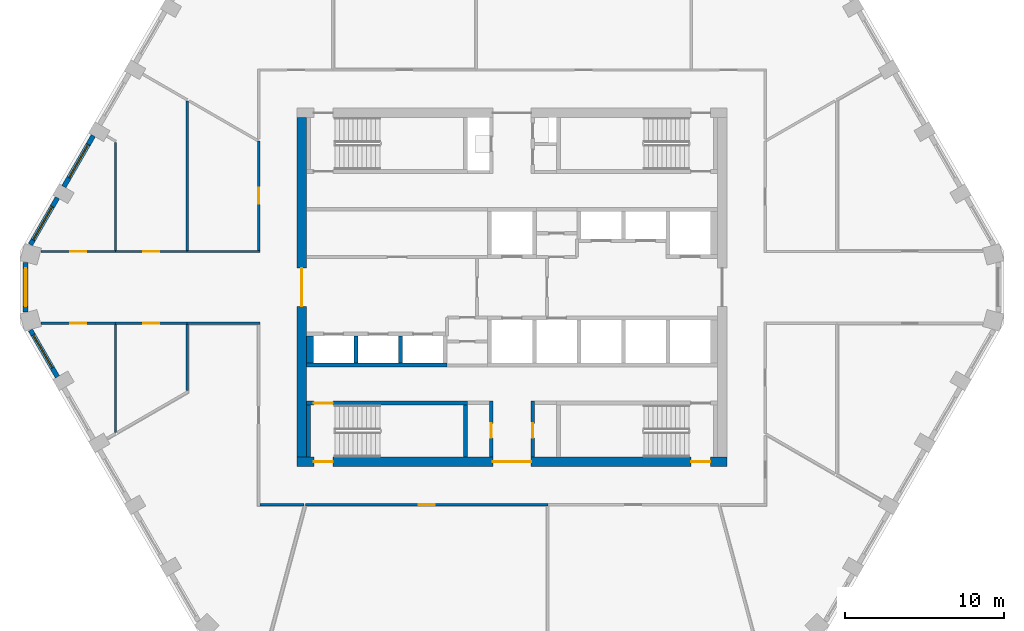
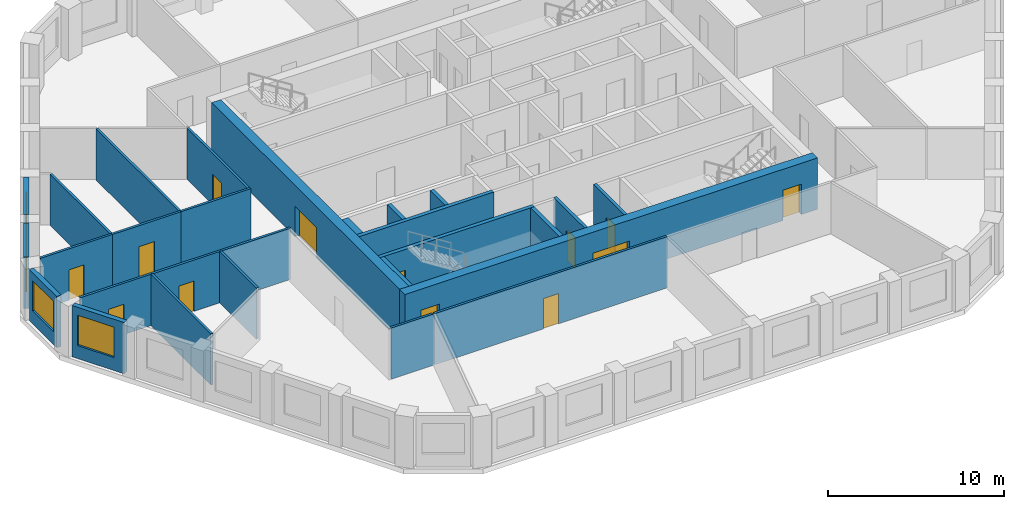
# One storey, part 2 of 11: 28 walls, 13 doors, 4 windows, 17 openings.
"""IFC4 building model written with IfcOpenShell, lengths in metres."""

import ifcopenshell
import ifcopenshell.guid

model = None  # the IFC model being written
_history = None  # IfcOwnerHistory: only IFC2X3 demands one
_inside = {}  # id of a spatial element -> (the spatial element, [elements in it])
_under = {}  # id of a project, library or spatial element -> (it, [spatial elements below it])
_declared = {}  # id of a project -> (the project, [libraries it declares])
_typed = {}  # id of a type object -> (the type object, [elements of that type])
_made_of = {}  # id of a material, layer set ... -> (it, [elements and type objects made of it])


def new_model(schema):
    """Start an empty IFC model of exactly this schema.

    Asked for "IFC4X3", IfcOpenShell would pick the latest addendum, in which some entities
    have other attributes; the version numbers below select the first issue.
    IFC2X3 requires an IfcOwnerHistory on every rooted entity: one is made here for all.
    """
    global model, _history
    if schema == "IFC4X3":
        model = ifcopenshell.file(schema_version=(4, 3, 0, 0))
    else:
        model = ifcopenshell.file(schema=schema)
    _inside.clear()
    _under.clear()
    _declared.clear()
    _typed.clear()
    _made_of.clear()
    _history = None
    if model.schema == "IFC2X3":
        org = make("IfcOrganization", Name="unknown")
        user = make(
            "IfcPersonAndOrganization",
            ThePerson=make("IfcPerson", FamilyName="unknown"),
            TheOrganization=org,
        )
        app = make(
            "IfcApplication",
            ApplicationDeveloper=org,
            Version="unknown",
            ApplicationFullName="unknown",
            ApplicationIdentifier="unknown",
        )
        _history = make(
            "IfcOwnerHistory",
            OwningUser=user,
            OwningApplication=app,
            ChangeAction="ADDED",
            CreationDate=0,
        )
    return model


def make(cls, **values):
    """One entity of the class cls with the attributes given. An attribute that is None is left unset."""
    return model.create_entity(
        cls, **{name: value for name, value in values.items() if value is not None}
    )


def rooted(cls, **values):
    """An entity with a GlobalId (a new one), such as an element, a storey or a relation."""
    return make(cls, GlobalId=ifcopenshell.guid.new(), OwnerHistory=_history, **values)


def si_unit(unit_type, name, prefix=None):
    """IfcSIUnit, for example si_unit("LENGTHUNIT", "METRE", prefix="MILLI")."""
    return make("IfcSIUnit", UnitType=unit_type, Prefix=prefix, Name=name)


def assignment(units):
    """IfcUnitAssignment: the units of a project."""
    return None if units is None else make("IfcUnitAssignment", Units=units)


def point(xyz):
    """IfcCartesianPoint."""
    return None if xyz is None else make("IfcCartesianPoint", Coordinates=xyz)


def direction(xyz):
    """IfcDirection."""
    return None if xyz is None else make("IfcDirection", DirectionRatios=xyz)


def frame(location, z_axis=None, x_axis=None):
    """IfcAxis2Placement3D, a coordinate frame: its origin and axes. An axis left out is left unset."""
    return make(
        "IfcAxis2Placement3D",
        Location=point(location),
        Axis=direction(z_axis),
        RefDirection=direction(x_axis),
    )


def frame_2d(location, x_axis=None):
    """IfcAxis2Placement2D, a coordinate frame in the plane: its origin and x axis."""
    return make(
        "IfcAxis2Placement2D", Location=point(location), RefDirection=direction(x_axis)
    )


def origin():
    """The frame at (0, 0, 0) with its axes left unset."""
    return frame((0.0, 0.0, 0.0))


def place(relative_to, where):
    """IfcLocalPlacement: puts the frame where relative to a parent placement (None: the world)."""
    return make(
        "IfcLocalPlacement", PlacementRelTo=relative_to, RelativePlacement=where
    )


def context(
    kind, dimensions, precision=None, world=None, true_north=None, identifier=None
):
    """IfcGeometricRepresentationContext, for example the 3D "Model" context."""
    return make(
        "IfcGeometricRepresentationContext",
        ContextIdentifier=identifier,
        ContextType=kind,
        CoordinateSpaceDimension=dimensions,
        Precision=precision,
        WorldCoordinateSystem=world,
        TrueNorth=true_north,
    )


def subcontext(parent, identifier, kind, view, scale=None):
    """IfcGeometricRepresentationSubContext, for example "Body" below "Model"."""
    return make(
        "IfcGeometricRepresentationSubContext",
        ContextIdentifier=identifier,
        ContextType=kind,
        ParentContext=parent,
        TargetScale=scale,
        TargetView=view,
    )


def project(units=None, contexts=None):
    """IfcProject with its units and contexts."""
    return rooted(
        "IfcProject",
        Name="project",
        RepresentationContexts=contexts,
        UnitsInContext=assignment(units),
    )


def spatial(cls, under=None, at=None, **own):
    """A site, building, storey or space (cls), placed at a placement, below another one or the project."""
    s = rooted(cls, ObjectPlacement=at, **own)
    if under is not None:
        _under.setdefault(under.id(), (under, []))[1].append(s)
    return s


def polyline(points):
    """IfcPolyline through the points."""
    return make("IfcPolyline", Points=[point(p) for p in points])


def profile(cls, at=None, kind="AREA", **sizes):
    """A parametric profile (cls). Its sizes go by their IFC names, for example OverallWidth=200.0."""
    return make(cls, ProfileType=kind, Position=at, **sizes)


def rectangle(**sizes):
    """IfcRectangleProfileDef."""
    return profile("IfcRectangleProfileDef", **sizes)


def outline(outer, holes=None, kind="AREA"):
    """IfcArbitraryClosedProfileDef: a profile drawn as a closed curve; with holes, ...WithVoids."""
    if holes is None:
        return make("IfcArbitraryClosedProfileDef", ProfileType=kind, OuterCurve=outer)
    return make(
        "IfcArbitraryProfileDefWithVoids",
        ProfileType=kind,
        OuterCurve=outer,
        InnerCurves=holes,
    )


def extrude(swept, where, along, depth):
    """IfcExtrudedAreaSolid: the profile swept, set in the frame where, extruded along a direction by depth."""
    return make(
        "IfcExtrudedAreaSolid",
        SweptArea=swept,
        Position=where,
        ExtrudedDirection=direction(along),
        Depth=depth,
    )


def shape(context_of_items, identifier, shape_type, items):
    """IfcShapeRepresentation: the items that make up one representation, for example the "Body"."""
    return make(
        "IfcShapeRepresentation",
        ContextOfItems=context_of_items,
        RepresentationIdentifier=identifier,
        RepresentationType=shape_type,
        Items=items,
    )


def material(Name=None, Category=None):
    """IfcMaterial."""
    return make("IfcMaterial", Name=Name, Category=Category)


def layer(
    of_material, thickness, ventilated=None, Name=None, Category=None, Priority=None
):
    """IfcMaterialLayer: one layer of a wall or slab, of a material (None: an air gap)."""
    return make(
        "IfcMaterialLayer",
        Material=of_material,
        LayerThickness=thickness,
        IsVentilated=ventilated,
        Name=Name,
        Category=Category,
        Priority=Priority,
    )


def layer_set(layers, Name=None):
    """IfcMaterialLayerSet."""
    return make("IfcMaterialLayerSet", MaterialLayers=layers, LayerSetName=Name)


def made_of(thing, what):
    """Note that an element or type object is made of a material, layer set ...; save() writes the relation."""
    if what is not None:
        _made_of.setdefault(what.id(), (what, []))[1].append(thing)
    return thing


def type_object(cls, material=None, **own):
    """A type object (cls), such as IfcWallType, which elements share."""
    return made_of(rooted(cls, **own), material)


def element(
    cls,
    number,
    at=None,
    inside=None,
    cuts=None,
    type_object=None,
    material=None,
    context=None,
    identifier="Body",
    shape_type=None,
    held_by="IfcProductDefinitionShape",
    body=None,
    shapes=None,
    **own,
):
    """One element of the class cls, such as IfcWall. Its Tag is "e" and its number.

    at: its placement. inside: the storey or other place that contains it. cuts: it is an
    opening in that element (IfcRelVoidsElement). A single representation is given by context,
    identifier, shape_type and body (its items); several are given by shapes. held_by: the class
    of the entity that holds the representations. save() writes the other relations.
    """
    e = rooted(cls, Tag="e%d" % number, ObjectPlacement=at, **own)
    if body is not None:
        shapes = [shape(context, identifier, shape_type, body)]
    if shapes is not None:
        e.Representation = make(held_by, Representations=shapes)
    if inside is not None:
        _inside.setdefault(inside.id(), (inside, []))[1].append(e)
    if cuts is not None:
        rooted(
            "IfcRelVoidsElement", RelatingBuildingElement=cuts, RelatedOpeningElement=e
        )
    if type_object is not None:
        _typed.setdefault(type_object.id(), (type_object, []))[1].append(e)
    return made_of(e, material)


def fill(opening, filler):
    """IfcRelFillsElement: the door or window that sits in an opening."""
    return rooted(
        "IfcRelFillsElement",
        RelatingOpeningElement=opening,
        RelatedBuildingElement=filler,
    )


def aggregate(whole, parts):
    """IfcRelAggregates: a whole, such as a stair, and the parts it consists of."""
    return rooted("IfcRelAggregates", RelatingObject=whole, RelatedObjects=parts)


def save(model, path):
    """Write the relations noted so far, then the file.

    IfcRelAggregates (storeys below a building ...), IfcRelContainedInSpatialStructure (elements
    in a storey), IfcRelDefinesByType, IfcRelAssociatesMaterial and IfcRelDeclares: one each for
    every whole, place, type object, material and project.
    """
    for whole, parts in _under.values():
        aggregate(whole, parts)
    for where, things in _inside.values():
        rooted(
            "IfcRelContainedInSpatialStructure",
            RelatedElements=things,
            RelatingStructure=where,
        )
    for kind, things in _typed.values():
        rooted("IfcRelDefinesByType", RelatedObjects=things, RelatingType=kind)
    for what, things in _made_of.values():
        rooted("IfcRelAssociatesMaterial", RelatedObjects=things, RelatingMaterial=what)
    for by, libraries in _declared.values():
        rooted("IfcRelDeclares", RelatingContext=by, RelatedDefinitions=libraries)
    model.write(path)


model = new_model("IFC4")

# Units and contexts
model_context = context("Model", 3, precision=1e-05, world=origin(), true_north=direction((0.0, 1.0)))
body_context = subcontext(model_context, "Body", "Model", "MODEL_VIEW")
ifc_project = project(units=[si_unit("LENGTHUNIT", "METRE"), si_unit("AREAUNIT", "SQUARE_METRE"), si_unit("VOLUMEUNIT", "CUBIC_METRE"), si_unit("PLANEANGLEUNIT", "RADIAN"), si_unit("MASSUNIT", "GRAM", prefix="KILO")], contexts=[model_context])

# Site, building, storey
site_placement = place(None, origin())
site = spatial("IfcSite", under=ifc_project, at=site_placement, CompositionType="ELEMENT")
building_placement = place(site_placement, origin())
building = spatial("IfcBuilding", under=site, at=building_placement, Name="Dhurran Vertical Campus", CompositionType="ELEMENT")
storey_placement = place(building_placement, frame((0.0, 0.0, 215.10009765625)))
storey = spatial("IfcBuildingStorey", under=building, at=storey_placement, Name="L53", CompositionType="ELEMENT", Elevation=215.10009765625)

# Wall, opening, window
ifc_material_1 = material(Name="Precast concrete C50/60", Category="concrete")
ifc_layer_1 = layer(ifc_material_1, 0.300048828125)
ifc_layer_set_1 = layer_set([ifc_layer_1], Name="Precast concrete C50/60")
wall_type_1 = type_object("IfcWallType", Name="Precast spandrel wall 300", PredefinedType="SOLIDWALL", material=ifc_layer_set_1)
wall_1_placement = place(storey_placement, frame((-26.294189453125, 9.5224609375, 0.0), z_axis=(0.0, 0.0, 1.0), x_axis=(-0.500029062817, -0.866008623709, 0.0)))
wall_1 = element("IfcWall", 1, at=wall_1_placement, inside=storey, type_object=wall_type_1, Name="EW1 L53.31", PredefinedType="SOLIDWALL", context=body_context, shape_type="SweptSolid", body=[
    extrude(rectangle(XDim=3.698974609375, YDim=0.300048828125, at=frame_2d((1.849609375, 0.0))), origin(), (0.0, 0.0, 1.0), 3.5498046875),
])
opening_1_placement = place(wall_1_placement, frame((0.6494140625, 0.0, 0.89990234375)))
opening_1 = element("IfcOpeningElement", 2, at=opening_1_placement, cuts=wall_1, Name="Opening WT1", PredefinedType="OPENING", context=body_context, shape_type="SweptSolid", body=[
    extrude(rectangle(XDim=2.39990234375, YDim=2.10009765625, at=frame_2d((1.199951171875, 1.050048828125))), frame((0.0, 0.159912109375, 0.0), z_axis=(0.0, -1.0, 0.0), x_axis=(1.0, 0.0, 0.0)), (0.0, 0.0, 1.0), 0.320068359375),
])
ifc_material_2 = material(Name="Aluminium frame with solar-control glass", Category="aluminium")
window_type = type_object("IfcWindowType", Name="Punched window 2400 x 2100", PartitioningType="SINGLE_PANEL", PredefinedType="WINDOW", material=ifc_material_2)
window_1_placement = place(opening_1_placement, origin())
window_1 = element("IfcWindow", 3, at=window_1_placement, inside=storey, type_object=window_type, Name="WT1 L53.31", OverallHeight=2.10009765625, OverallWidth=2.39990234375, PartitioningType="SINGLE_PANEL", PredefinedType="WINDOW", context=body_context, shape_type="SweptSolid", body=[
    extrude(rectangle(XDim=2.39990234375, YDim=2.10009765625, at=frame_2d((1.199951171875, 1.050048828125))), frame((0.0, 0.030029296875, 0.0), z_axis=(0.0, -1.0, 0.0), x_axis=(1.0, 0.0, 0.0)), (0.0, 0.0, 1.0), 0.06005859375),
])
fill(opening_1, window_1)

wall_2_placement = place(storey_placement, frame((-28.544189453125, 5.625244140625, 0.0), z_axis=(0.0, 0.0, 1.0), x_axis=(-0.500012868213, -0.866017974191, 0.0)))
wall_2 = element("IfcWall", 4, at=wall_2_placement, inside=storey, type_object=wall_type_1, Name="EW1 L53.32", PredefinedType="SOLIDWALL", context=body_context, shape_type="SweptSolid", body=[
    extrude(rectangle(XDim=3.39599609375, YDim=0.300048828125, at=frame_2d((1.697998046875, 0.0))), origin(), (0.0, 0.0, 1.0), 3.5498046875),
])
opening_2_placement = place(wall_2_placement, frame((0.6494140625, 0.0, 0.89990234375)))
opening_2 = element("IfcOpeningElement", 5, at=opening_2_placement, cuts=wall_2, Name="Opening WT1", PredefinedType="OPENING", context=body_context, shape_type="SweptSolid", body=[
    extrude(rectangle(XDim=2.39990234375, YDim=2.10009765625, at=frame_2d((1.199951171875, 1.050048828125))), frame((0.0, 0.159912109375, 0.0), z_axis=(0.0, -1.0, 0.0), x_axis=(1.0, 0.0, 0.0)), (0.0, 0.0, 1.0), 0.320068359375),
])
window_2_placement = place(opening_2_placement, origin())
window_2 = element("IfcWindow", 6, at=window_2_placement, inside=storey, type_object=window_type, Name="WT1 L53.32", OverallHeight=2.10009765625, OverallWidth=2.39990234375, PartitioningType="SINGLE_PANEL", PredefinedType="WINDOW", context=body_context, shape_type="SweptSolid", body=[
    extrude(rectangle(XDim=2.39990234375, YDim=2.10009765625, at=frame_2d((1.199951171875, 1.050048828125))), frame((0.0, 0.030029296875, 0.0), z_axis=(0.0, -1.0, 0.0), x_axis=(1.0, 0.0, 0.0)), (0.0, 0.0, 1.0), 0.06005859375),
])
fill(opening_2, window_2)

wall_3_placement = place(storey_placement, frame((-30.547119140625, 1.54638671875, 0.0), z_axis=(0.0, 0.0, 1.0), x_axis=(0.0, -1.0, 0.0)))
wall_3 = element("IfcWall", 7, at=wall_3_placement, inside=storey, type_object=wall_type_1, Name="EW1 L53.33", PredefinedType="SOLIDWALL", context=body_context, shape_type="SweptSolid", body=[
    extrude(rectangle(XDim=3.0927734375, YDim=0.300048828125, at=frame_2d((1.54638671875, 0.0))), origin(), (0.0, 0.0, 1.0), 3.5498046875),
])
opening_3_placement = place(wall_3_placement, frame((0.34619140625, 0.0, 0.89990234375)))
opening_3 = element("IfcOpeningElement", 8, at=opening_3_placement, cuts=wall_3, Name="Opening WT1", PredefinedType="OPENING", context=body_context, shape_type="SweptSolid", body=[
    extrude(rectangle(XDim=2.39990234375, YDim=2.10009765625, at=frame_2d((1.199951171875, 1.050048828125))), frame((0.0, 0.159912109375, 0.0), z_axis=(0.0, -1.0, 0.0), x_axis=(1.0, 0.0, 0.0)), (0.0, 0.0, 1.0), 0.320068359375),
])
window_3_placement = place(opening_3_placement, origin())
window_3 = element("IfcWindow", 9, at=window_3_placement, inside=storey, type_object=window_type, Name="WT1 L53.33", OverallHeight=2.10009765625, OverallWidth=2.39990234375, PartitioningType="SINGLE_PANEL", PredefinedType="WINDOW", context=body_context, shape_type="SweptSolid", body=[
    extrude(rectangle(XDim=2.39990234375, YDim=2.10009765625, at=frame_2d((1.199951171875, 1.050048828125))), frame((0.0, 0.030029296875, 0.0), z_axis=(0.0, -1.0, 0.0), x_axis=(1.0, 0.0, 0.0)), (0.0, 0.0, 1.0), 0.06005859375),
])
fill(opening_3, window_3)

wall_4_placement = place(storey_placement, frame((-30.2421875, -2.684326171875, 0.0), z_axis=(0.0, 0.0, 1.0), x_axis=(0.500012868213, -0.866017974191, 0.0)))
wall_4 = element("IfcWall", 10, at=wall_4_placement, inside=storey, type_object=wall_type_1, Name="EW1 L53.34", PredefinedType="SOLIDWALL", context=body_context, shape_type="SweptSolid", body=[
    extrude(rectangle(XDim=3.39599609375, YDim=0.300048828125, at=frame_2d((1.697998046875, 0.0))), origin(), (0.0, 0.0, 1.0), 3.5498046875),
])
opening_4_placement = place(wall_4_placement, frame((0.346435546875, 0.0, 0.89990234375)))
opening_4 = element("IfcOpeningElement", 11, at=opening_4_placement, cuts=wall_4, Name="Opening WT1", PredefinedType="OPENING", context=body_context, shape_type="SweptSolid", body=[
    extrude(rectangle(XDim=2.39990234375, YDim=2.10009765625, at=frame_2d((1.199951171875, 1.050048828125))), frame((0.0, 0.159912109375, 0.0), z_axis=(0.0, -1.0, 0.0), x_axis=(1.0, 0.0, 0.0)), (0.0, 0.0, 1.0), 0.320068359375),
])
window_4_placement = place(opening_4_placement, origin())
window_4 = element("IfcWindow", 12, at=window_4_placement, inside=storey, type_object=window_type, Name="WT1 L53.34", OverallHeight=2.10009765625, OverallWidth=2.39990234375, PartitioningType="SINGLE_PANEL", PredefinedType="WINDOW", context=body_context, shape_type="SweptSolid", body=[
    extrude(rectangle(XDim=2.39990234375, YDim=2.10009765625, at=frame_2d((1.199951171875, 1.050048828125))), frame((0.0, 0.030029296875, 0.0), z_axis=(0.0, -1.0, 0.0), x_axis=(1.0, 0.0, 0.0)), (0.0, 0.0, 1.0), 0.06005859375),
])
fill(opening_4, window_4)

# Wall, openings, doors
ifc_material_3 = material(Name="Concrete C50/60", Category="concrete")
ifc_layer_2 = layer(ifc_material_3, 0.60009765625)
ifc_layer_set_2 = layer_set([ifc_layer_2], Name="Concrete C50/60")
wall_type_2 = type_object("IfcWallType", Name="co-CORE-WALL-C2-600", PredefinedType="SHEAR", material=ifc_layer_set_2)
wall_5_placement = place(storey_placement, frame((-13.5, -10.949951171875, 0.0), z_axis=(0.0, 0.0, 1.0), x_axis=(1.0, 0.0, 0.0)))
wall_5 = element("IfcWall", 13, at=wall_5_placement, inside=storey, type_object=wall_type_2, Name="Core wall S L53", PredefinedType="SHEAR", context=body_context, shape_type="SweptSolid", body=[
    extrude(rectangle(XDim=27.0, YDim=0.60009765625, at=frame_2d((13.5, 0.0))), origin(), (0.0, 0.0, 1.0), 3.5498046875),
])
opening_5_placement = place(wall_5_placement, frame((12.300048828125, 0.0, 0.0)))
opening_5 = element("IfcOpeningElement", 14, at=opening_5_placement, cuts=wall_5, Name="Opening CV2", PredefinedType="OPENING", context=body_context, shape_type="SweptSolid", body=[
    extrude(rectangle(XDim=2.39990234375, YDim=2.10009765625, at=frame_2d((1.199951171875, 1.050048828125))), frame((0.0, 0.31005859375, 0.0), z_axis=(0.0, -1.0, 0.0), x_axis=(1.0, 0.0, 0.0)), (0.0, 0.0, 1.0), 0.6201171875),
])
opening_6_placement = place(wall_5_placement, frame((1.050048828125, 0.0, 0.0)))
opening_6 = element("IfcOpeningElement", 15, at=opening_6_placement, cuts=wall_5, Name="Opening XD3", PredefinedType="OPENING", context=body_context, shape_type="SweptSolid", body=[
    extrude(rectangle(XDim=1.199951171875, YDim=2.10009765625, at=frame_2d((0.60009765625, 1.050048828125))), frame((0.0, 0.31005859375, 0.0), z_axis=(0.0, -1.0, 0.0), x_axis=(1.0, 0.0, 0.0)), (0.0, 0.0, 1.0), 0.6201171875),
])
opening_7_placement = place(wall_5_placement, frame((24.75, 0.0, 0.0)))
opening_7 = element("IfcOpeningElement", 16, at=opening_7_placement, cuts=wall_5, Name="Opening XD4", PredefinedType="OPENING", context=body_context, shape_type="SweptSolid", body=[
    extrude(rectangle(XDim=1.199951171875, YDim=2.10009765625, at=frame_2d((0.60009765625, 1.050048828125))), frame((0.0, 0.31005859375, 0.0), z_axis=(0.0, -1.0, 0.0), x_axis=(1.0, 0.0, 0.0)), (0.0, 0.0, 1.0), 0.6201171875),
])
ifc_material_4 = material(Name="Fire-rated glazed door set")
door_type_1 = type_object("IfcDoorType", Name="co-D-LOBBY 2400x2100", OperationType="DOUBLE_DOOR_DOUBLE_SWING", PredefinedType="DOOR", material=ifc_material_4)
door_1_placement = place(opening_5_placement, origin())
door_1 = element("IfcDoor", 17, at=door_1_placement, inside=storey, type_object=door_type_1, Name="Core vestibule door S L53", OperationType="DOUBLE_DOOR_DOUBLE_SWING", OverallHeight=2.10009765625, OverallWidth=2.39990234375, PredefinedType="DOOR", context=body_context, shape_type="SweptSolid", body=[
    extrude(rectangle(XDim=2.39990234375, YDim=2.10009765625, at=frame_2d((1.199951171875, 1.050048828125))), frame((0.0, 0.02490234375, 0.0), z_axis=(0.0, -1.0, 0.0), x_axis=(1.0, 0.0, 0.0)), (0.0, 0.0, 1.0), 0.050048828125),
])
fill(opening_5, door_1)
ifc_material_5 = material(Name="Fire-rated steel door set", Category="steel")
door_type_2 = type_object("IfcDoorType", Name="co-D-STAIR-EXIT 1200x2100", OperationType="SINGLE_SWING_RIGHT", PredefinedType="DOOR", material=ifc_material_5)
door_2_placement = place(opening_6_placement, origin())
door_2 = element("IfcDoor", 18, at=door_2_placement, inside=storey, type_object=door_type_2, Name="Stair ST3 exit door L53", OperationType="SINGLE_SWING_RIGHT", OverallHeight=2.10009765625, OverallWidth=1.199951171875, PredefinedType="DOOR", context=body_context, shape_type="SweptSolid", body=[
    extrude(rectangle(XDim=1.199951171875, YDim=2.10009765625, at=frame_2d((0.60009765625, 1.050048828125))), frame((0.0, 0.02490234375, 0.0), z_axis=(0.0, -1.0, 0.0), x_axis=(1.0, 0.0, 0.0)), (0.0, 0.0, 1.0), 0.050048828125),
])
fill(opening_6, door_2)
door_3_placement = place(opening_7_placement, origin())
door_3 = element("IfcDoor", 19, at=door_3_placement, inside=storey, type_object=door_type_2, Name="Stair ST4 exit door L53", OperationType="SINGLE_SWING_RIGHT", OverallHeight=2.10009765625, OverallWidth=1.199951171875, PredefinedType="DOOR", context=body_context, shape_type="SweptSolid", body=[
    extrude(rectangle(XDim=1.199951171875, YDim=2.10009765625, at=frame_2d((0.60009765625, 1.050048828125))), frame((0.0, 0.02490234375, 0.0), z_axis=(0.0, -1.0, 0.0), x_axis=(1.0, 0.0, 0.0)), (0.0, 0.0, 1.0), 0.050048828125),
])
fill(opening_7, door_3)

# Wall, opening, door
wall_6_placement = place(storey_placement, frame((-13.199951171875, -10.64990234375, 0.0), z_axis=(0.0, 0.0, 1.0), x_axis=(0.0, 1.0, 0.0)))
wall_6 = element("IfcWall", 20, at=wall_6_placement, inside=storey, type_object=wall_type_2, Name="Core wall W L53", PredefinedType="SHEAR", context=body_context, shape_type="SweptSolid", body=[
    extrude(rectangle(XDim=21.2998046875, YDim=0.60009765625, at=frame_2d((10.64990234375, 0.0))), origin(), (0.0, 0.0, 1.0), 3.5498046875),
])
opening_8_placement = place(wall_6_placement, frame((9.449951171875, 0.0, 0.0)))
opening_8 = element("IfcOpeningElement", 21, at=opening_8_placement, cuts=wall_6, Name="Opening CL1", PredefinedType="OPENING", context=body_context, shape_type="SweptSolid", body=[
    extrude(rectangle(XDim=2.39990234375, YDim=2.10009765625, at=frame_2d((1.199951171875, 1.050048828125))), frame((0.0, 0.31005859375, 0.0), z_axis=(0.0, -1.0, 0.0), x_axis=(1.0, 0.0, 0.0)), (0.0, 0.0, 1.0), 0.6201171875),
])
door_4_placement = place(opening_8_placement, origin())
door_4 = element("IfcDoor", 22, at=door_4_placement, inside=storey, type_object=door_type_1, Name="Lift lobby door W L53", OperationType="DOUBLE_DOOR_DOUBLE_SWING", OverallHeight=2.10009765625, OverallWidth=2.39990234375, PredefinedType="DOOR", context=body_context, shape_type="SweptSolid", body=[
    extrude(rectangle(XDim=2.39990234375, YDim=2.10009765625, at=frame_2d((1.199951171875, 1.050048828125))), frame((0.0, 0.02490234375, 0.0), z_axis=(0.0, -1.0, 0.0), x_axis=(1.0, 0.0, 0.0)), (0.0, 0.0, 1.0), 0.050048828125),
])
fill(opening_8, door_4)

ifc_material_6 = material(Name="Fire-rated masonry blockwork", Category="masonry")
ifc_layer_3 = layer(ifc_material_6, 0.199951171875)
ifc_layer_set_3 = layer_set([ifc_layer_3], Name="Fire-rated masonry blockwork")
wall_type_3 = type_object("IfcWallType", Name="co-FIRE-PARTITION-200", PredefinedType="PARTITIONING", material=ifc_layer_set_3)
wall_7_placement = place(storey_placement, frame((-1.300048828125, -10.64990234375, 0.0), z_axis=(0.0, 0.0, 1.0), x_axis=(0.0, 1.0, 0.0)))
wall_7 = element("IfcWall", 23, at=wall_7_placement, inside=storey, type_object=wall_type_3, Name="Core partition vest-SW L53", PredefinedType="PARTITIONING", context=body_context, shape_type="SweptSolid", body=[
    extrude(rectangle(XDim=3.5, YDim=0.199951171875, at=frame_2d((1.75, 0.0))), origin(), (0.0, 0.0, 1.0), 3.5498046875),
])
opening_9_placement = place(wall_7_placement, frame((1.199951171875, 0.0, 0.0)))
opening_9 = element("IfcOpeningElement", 24, at=opening_9_placement, cuts=wall_7, Name="Opening T15-C1", PredefinedType="OPENING", context=body_context, shape_type="SweptSolid", body=[
    extrude(rectangle(XDim=0.89990234375, YDim=2.10009765625, at=frame_2d((0.449951171875, 1.050048828125))), frame((0.0, 0.10986328125, 0.0), z_axis=(0.0, -1.0, 0.0), x_axis=(1.0, 0.0, 0.0)), (0.0, 0.0, 1.0), 0.219970703125),
])
ifc_material_7 = material(Name="Fire-rated timber door set", Category="wood")
door_type_3 = type_object("IfcDoorType", Name="co-D-ROOM 900x2100", OperationType="SINGLE_SWING_LEFT", PredefinedType="DOOR", material=ifc_material_7)
door_5_placement = place(opening_9_placement, origin())
door_5 = element("IfcDoor", 25, at=door_5_placement, inside=storey, type_object=door_type_3, Name="Waste room door L53", OperationType="SINGLE_SWING_LEFT", OverallHeight=2.10009765625, OverallWidth=0.89990234375, PredefinedType="DOOR", context=body_context, shape_type="SweptSolid", body=[
    extrude(rectangle(XDim=0.89990234375, YDim=2.10009765625, at=frame_2d((0.449951171875, 1.050048828125))), frame((0.0, 0.02490234375, 0.0), z_axis=(0.0, -1.0, 0.0), x_axis=(1.0, 0.0, 0.0)), (0.0, 0.0, 1.0), 0.050048828125),
])
fill(opening_9, door_5)

wall_8_placement = place(storey_placement, frame((1.300048828125, -10.64990234375, 0.0), z_axis=(0.0, 0.0, 1.0), x_axis=(0.0, 1.0, 0.0)))
wall_8 = element("IfcWall", 26, at=wall_8_placement, inside=storey, type_object=wall_type_3, Name="Core partition vest-SE L53", PredefinedType="PARTITIONING", context=body_context, shape_type="SweptSolid", body=[
    extrude(rectangle(XDim=3.5, YDim=0.199951171875, at=frame_2d((1.75, 0.0))), origin(), (0.0, 0.0, 1.0), 3.5498046875),
])
opening_10_placement = place(wall_8_placement, frame((1.199951171875, 0.0, 0.0)))
opening_10 = element("IfcOpeningElement", 27, at=opening_10_placement, cuts=wall_8, Name="Opening T15-C2", PredefinedType="OPENING", context=body_context, shape_type="SweptSolid", body=[
    extrude(rectangle(XDim=0.89990234375, YDim=2.10009765625, at=frame_2d((0.449951171875, 1.050048828125))), frame((0.0, 0.10986328125, 0.0), z_axis=(0.0, -1.0, 0.0), x_axis=(1.0, 0.0, 0.0)), (0.0, 0.0, 1.0), 0.219970703125),
])
door_6_placement = place(opening_10_placement, origin())
door_6 = element("IfcDoor", 28, at=door_6_placement, inside=storey, type_object=door_type_3, Name="Cleaner's store door L53", OperationType="SINGLE_SWING_LEFT", OverallHeight=2.10009765625, OverallWidth=0.89990234375, PredefinedType="DOOR", context=body_context, shape_type="SweptSolid", body=[
    extrude(rectangle(XDim=0.89990234375, YDim=2.10009765625, at=frame_2d((0.449951171875, 1.050048828125))), frame((0.0, 0.02490234375, 0.0), z_axis=(0.0, -1.0, 0.0), x_axis=(1.0, 0.0, 0.0)), (0.0, 0.0, 1.0), 0.050048828125),
])
fill(opening_10, door_6)

# Walls
ifc_material_8 = material(Name="Concrete C50/60", Category="concrete")
ifc_layer_4 = layer(ifc_material_8, 0.25)
ifc_layer_set_4 = layer_set([ifc_layer_4], Name="Concrete C50/60")
wall_type_4 = type_object("IfcWallType", Name="co-SHAFT-MASS-250", PredefinedType="SHEAR", material=ifc_layer_set_4)
wall_9_placement = place(storey_placement, origin())
element("IfcWall", 29, at=wall_9_placement, inside=storey, type_object=wall_type_4, Name="Lift shaft wall S L53 1", PredefinedType="SHEAR", context=body_context, shape_type="SweptSolid", body=[
    extrude(outline(polyline([(-12.89990234375, -5.0), (-4.074951171875, -5.0), (-4.074951171875, -4.75), (-12.89990234375, -4.75), (-12.89990234375, -5.0)])), origin(), (0.0, 0.0, 1.0), 3.5498046875),
])
wall_10_placement = place(storey_placement, origin())
element("IfcWall", 30, at=wall_10_placement, inside=storey, type_object=wall_type_4, Name="Lift shaft wall S L53 3", PredefinedType="SHEAR", context=body_context, shape_type="SweptSolid", body=[
    extrude(outline(polyline([(-12.89990234375, -4.75), (-12.47509765625, -4.75), (-12.47509765625, -3.050048828125), (-12.89990234375, -3.050048828125), (-12.89990234375, -4.75)])), origin(), (0.0, 0.0, 1.0), 3.5498046875),
])
wall_11_placement = place(storey_placement, origin())
element("IfcWall", 31, at=wall_11_placement, inside=storey, type_object=wall_type_4, Name="Lift shaft wall S L53 4", PredefinedType="SHEAR", context=body_context, shape_type="SweptSolid", body=[
    extrude(outline(polyline([(-9.925048828125, -4.75), (-9.675048828125, -4.75), (-9.675048828125, -3.050048828125), (-9.925048828125, -3.050048828125), (-9.925048828125, -4.75)])), origin(), (0.0, 0.0, 1.0), 3.5498046875),
])
wall_12_placement = place(storey_placement, origin())
element("IfcWall", 32, at=wall_12_placement, inside=storey, type_object=wall_type_4, Name="Lift shaft wall S L53 5", PredefinedType="SHEAR", context=body_context, shape_type="SweptSolid", body=[
    extrude(outline(polyline([(-7.125, -4.75), (-6.875, -4.75), (-6.875, -3.050048828125), (-7.125, -3.050048828125), (-7.125, -4.75)])), origin(), (0.0, 0.0, 1.0), 3.5498046875),
])

# Wall, opening, door
ifc_material_9 = material(Name="Concrete C40/50", Category="concrete")
ifc_layer_5 = layer(ifc_material_9, 0.25)
ifc_layer_set_5 = layer_set([ifc_layer_5], Name="Concrete C40/50")
wall_type_5 = type_object("IfcWallType", Name="co-STAIR-WALL-250", PredefinedType="SHEAR", material=ifc_layer_set_5)
wall_13_placement = place(storey_placement, frame((-12.89990234375, -7.27490234375, 0.0), z_axis=(0.0, 0.0, 1.0), x_axis=(1.0, 0.0, 0.0)))
wall_13 = element("IfcWall", 33, at=wall_13_placement, inside=storey, type_object=wall_type_5, Name="Stair ST3 enclosure wall L53", PredefinedType="SHEAR", context=body_context, shape_type="SweptSolid", body=[
    extrude(rectangle(XDim=10.099853515625, YDim=0.25, at=frame_2d((5.0498046875, 0.0))), origin(), (0.0, 0.0, 1.0), 3.5498046875),
])
opening_11_placement = place(wall_13_placement, frame((0.449951171875, 0.0, 0.0)))
opening_11 = element("IfcOpeningElement", 34, at=opening_11_placement, cuts=wall_13, Name="Opening SD3", PredefinedType="OPENING", context=body_context, shape_type="SweptSolid", body=[
    extrude(rectangle(XDim=1.199951171875, YDim=2.10009765625, at=frame_2d((0.60009765625, 1.050048828125))), frame((0.0, 0.135009765625, 0.0), z_axis=(0.0, -1.0, 0.0), x_axis=(1.0, 0.0, 0.0)), (0.0, 0.0, 1.0), 0.27001953125),
])
ifc_material_10 = material(Name="Fire-rated steel door set", Category="steel")
door_type_4 = type_object("IfcDoorType", Name="co-D-STAIR 1200x2100", OperationType="SINGLE_SWING_LEFT", PredefinedType="DOOR", material=ifc_material_10)
door_7_placement = place(opening_11_placement, origin())
door_7 = element("IfcDoor", 35, at=door_7_placement, inside=storey, type_object=door_type_4, Name="Stair ST3 door L53", OperationType="SINGLE_SWING_LEFT", OverallHeight=2.10009765625, OverallWidth=1.199951171875, PredefinedType="DOOR", context=body_context, shape_type="SweptSolid", body=[
    extrude(rectangle(XDim=1.199951171875, YDim=2.10009765625, at=frame_2d((0.60009765625, 1.050048828125))), frame((0.0, 0.02490234375, 0.0), z_axis=(0.0, -1.0, 0.0), x_axis=(1.0, 0.0, 0.0)), (0.0, 0.0, 1.0), 0.050048828125),
])
fill(opening_11, door_7)

# Walls
for number, where, z_axis, x_axis, name in (
    (36, (-12.77490234375, -10.64990234375, 0.0), (0.0, 0.0, 1.0), (0.0, 1.0, 0.0), "Stair ST3 enclosure wall L53"),
    (37, (-2.925048828125, -10.64990234375, 0.0), (0.0, 0.0, 1.0), (0.0, 1.0, 0.0), "Stair ST3 enclosure wall L53"),
):
    element("IfcWall", number, at=place(storey_placement, frame(where, z_axis=z_axis, x_axis=x_axis)), inside=storey, type_object=wall_type_5, Name=name, PredefinedType="SHEAR", context=body_context, shape_type="SweptSolid", body=[
        extrude(rectangle(XDim=3.25, YDim=0.25, at=frame_2d((1.625, 0.0))), origin(), (0.0, 0.0, 1.0), 3.5498046875),
    ])

# Wall, opening, door
ifc_material_11 = material(Name="Gypsum board corridor wall on steel studs", Category="steel")
ifc_layer_6 = layer(ifc_material_11, 0.14990234375)
ifc_layer_set_6 = layer_set([ifc_layer_6], Name="Gypsum board corridor wall on steel studs")
wall_type_6 = type_object("IfcWallType", Name="fl-CW-150 corridor wall", PredefinedType="PARTITIONING", material=ifc_layer_set_6)
wall_14_placement = place(storey_placement, frame((-24.89990234375, -2.25, 0.0), z_axis=(0.0, 0.0, 1.0), x_axis=(-1.0, 0.0, 0.0)))
wall_14 = element("IfcWall", 38, at=wall_14_placement, inside=storey, type_object=wall_type_6, Name="Partition 53-01", PredefinedType="PARTITIONING", context=body_context, shape_type="SweptSolid", body=[
    extrude(rectangle(XDim=4.68505859375, YDim=0.14990234375, at=frame_2d((2.342529296875, 0.0))), origin(), (0.0, 0.0, 1.0), 3.5498046875),
])
opening_12_placement = place(wall_14_placement, frame((1.842529296875, 0.0, 0.0)))
opening_12 = element("IfcOpeningElement", 39, at=opening_12_placement, cuts=wall_14, Name="Opening T15.01", PredefinedType="OPENING", context=body_context, shape_type="SweptSolid", body=[
    extrude(rectangle(XDim=1.0, YDim=2.10009765625, at=frame_2d((0.5, 1.050048828125))), frame((0.0, 0.0849609375, 0.0), z_axis=(0.0, -1.0, 0.0), x_axis=(1.0, 0.0, 0.0)), (0.0, 0.0, 1.0), 0.169921875),
])
ifc_material_12 = material(Name="Solid-core timber door set, fire-rated", Category="wood")
door_type_5 = type_object("IfcDoorType", Name="fl-D-1000x2100", OperationType="SINGLE_SWING_LEFT", PredefinedType="DOOR", material=ifc_material_12)
door_8_placement = place(opening_12_placement, origin())
door_8 = element("IfcDoor", 40, at=door_8_placement, inside=storey, type_object=door_type_5, Name="Door 53.01", OperationType="SINGLE_SWING_RIGHT", OverallHeight=2.10009765625, OverallWidth=1.0, PredefinedType="DOOR", context=body_context, shape_type="SweptSolid", body=[
    extrude(rectangle(XDim=1.0, YDim=2.10009765625, at=frame_2d((0.5, 1.050048828125))), frame((0.0, 0.02490234375, 0.0), z_axis=(0.0, -1.0, 0.0), x_axis=(1.0, 0.0, 0.0)), (0.0, 0.0, 1.0), 0.050048828125),
])
fill(opening_12, door_8)

wall_15_placement = place(storey_placement, frame((-29.5849609375, 2.25, 0.0), z_axis=(0.0, 0.0, 1.0), x_axis=(1.0, 0.0, 0.0)))
wall_15 = element("IfcWall", 41, at=wall_15_placement, inside=storey, type_object=wall_type_6, Name="Partition 53-02", PredefinedType="PARTITIONING", context=body_context, shape_type="SweptSolid", body=[
    extrude(rectangle(XDim=4.68505859375, YDim=0.14990234375, at=frame_2d((2.342529296875, 0.0))), origin(), (0.0, 0.0, 1.0), 3.5498046875),
])
opening_13_placement = place(wall_15_placement, frame((1.842529296875, 0.0, 0.0)))
opening_13 = element("IfcOpeningElement", 42, at=opening_13_placement, cuts=wall_15, Name="Opening T15.02", PredefinedType="OPENING", context=body_context, shape_type="SweptSolid", body=[
    extrude(rectangle(XDim=1.0, YDim=2.10009765625, at=frame_2d((0.5, 1.050048828125))), frame((0.0, 0.0849609375, 0.0), z_axis=(0.0, -1.0, 0.0), x_axis=(1.0, 0.0, 0.0)), (0.0, 0.0, 1.0), 0.169921875),
])
door_9_placement = place(opening_13_placement, origin())
door_9 = element("IfcDoor", 43, at=door_9_placement, inside=storey, type_object=door_type_5, Name="Door 53.02", OperationType="SINGLE_SWING_LEFT", OverallHeight=2.10009765625, OverallWidth=1.0, PredefinedType="DOOR", context=body_context, shape_type="SweptSolid", body=[
    extrude(rectangle(XDim=1.0, YDim=2.10009765625, at=frame_2d((0.5, 1.050048828125))), frame((0.0, 0.02490234375, 0.0), z_axis=(0.0, -1.0, 0.0), x_axis=(1.0, 0.0, 0.0)), (0.0, 0.0, 1.0), 0.050048828125),
])
fill(opening_13, door_9)

wall_16_placement = place(storey_placement, frame((-20.39990234375, -2.25, 0.0), z_axis=(0.0, 0.0, 1.0), x_axis=(-1.0, 0.0, 0.0)))
wall_16 = element("IfcWall", 44, at=wall_16_placement, inside=storey, type_object=wall_type_6, Name="Partition 53-07", PredefinedType="PARTITIONING", context=body_context, shape_type="SweptSolid", body=[
    extrude(rectangle(XDim=4.5, YDim=0.14990234375, at=frame_2d((2.25, 0.0))), origin(), (0.0, 0.0, 1.0), 3.5498046875),
])
opening_14_placement = place(wall_16_placement, frame((1.75, 0.0, 0.0)))
opening_14 = element("IfcOpeningElement", 45, at=opening_14_placement, cuts=wall_16, Name="Opening T15.03", PredefinedType="OPENING", context=body_context, shape_type="SweptSolid", body=[
    extrude(rectangle(XDim=1.0, YDim=2.10009765625, at=frame_2d((0.5, 1.050048828125))), frame((0.0, 0.0849609375, 0.0), z_axis=(0.0, -1.0, 0.0), x_axis=(1.0, 0.0, 0.0)), (0.0, 0.0, 1.0), 0.169921875),
])
door_10_placement = place(opening_14_placement, origin())
door_10 = element("IfcDoor", 46, at=door_10_placement, inside=storey, type_object=door_type_5, Name="Door 53.03", OperationType="SINGLE_SWING_RIGHT", OverallHeight=2.10009765625, OverallWidth=1.0, PredefinedType="DOOR", context=body_context, shape_type="SweptSolid", body=[
    extrude(rectangle(XDim=1.0, YDim=2.10009765625, at=frame_2d((0.5, 1.050048828125))), frame((0.0, 0.02490234375, 0.0), z_axis=(0.0, -1.0, 0.0), x_axis=(1.0, 0.0, 0.0)), (0.0, 0.0, 1.0), 0.050048828125),
])
fill(opening_14, door_10)

wall_17_placement = place(storey_placement, frame((-24.89990234375, 2.25, 0.0), z_axis=(0.0, 0.0, 1.0), x_axis=(1.0, 0.0, 0.0)))
wall_17 = element("IfcWall", 47, at=wall_17_placement, inside=storey, type_object=wall_type_6, Name="Partition 53-09", PredefinedType="PARTITIONING", context=body_context, shape_type="SweptSolid", body=[
    extrude(rectangle(XDim=4.5, YDim=0.14990234375, at=frame_2d((2.25, 0.0))), origin(), (0.0, 0.0, 1.0), 3.5498046875),
])
opening_15_placement = place(wall_17_placement, frame((1.75, 0.0, 0.0)))
opening_15 = element("IfcOpeningElement", 48, at=opening_15_placement, cuts=wall_17, Name="Opening T15.04", PredefinedType="OPENING", context=body_context, shape_type="SweptSolid", body=[
    extrude(rectangle(XDim=1.0, YDim=2.10009765625, at=frame_2d((0.5, 1.050048828125))), frame((0.0, 0.0849609375, 0.0), z_axis=(0.0, -1.0, 0.0), x_axis=(1.0, 0.0, 0.0)), (0.0, 0.0, 1.0), 0.169921875),
])
door_11_placement = place(opening_15_placement, origin())
door_11 = element("IfcDoor", 49, at=door_11_placement, inside=storey, type_object=door_type_5, Name="Door 53.04", OperationType="SINGLE_SWING_RIGHT", OverallHeight=2.10009765625, OverallWidth=1.0, PredefinedType="DOOR", context=body_context, shape_type="SweptSolid", body=[
    extrude(rectangle(XDim=1.0, YDim=2.10009765625, at=frame_2d((0.5, 1.050048828125))), frame((0.0, 0.02490234375, 0.0), z_axis=(0.0, -1.0, 0.0), x_axis=(1.0, 0.0, 0.0)), (0.0, 0.0, 1.0), 0.050048828125),
])
fill(opening_15, door_11)

# Walls
for number, where, z_axis, x_axis, name in (
    (50, (-15.824951171875, -2.25, 0.0), (0.0, 0.0, 1.0), (-1.0, 0.0, 0.0), "Partition 53-12"),
    (51, (-20.39990234375, 2.25, 0.0), (0.0, 0.0, 1.0), (1.0, 0.0, 0.0), "Partition 53-14"),
):
    element("IfcWall", number, at=place(storey_placement, frame(where, z_axis=z_axis, x_axis=x_axis)), inside=storey, type_object=wall_type_6, Name=name, PredefinedType="PARTITIONING", context=body_context, shape_type="SweptSolid", body=[
        extrude(rectangle(XDim=4.574951171875, YDim=0.14990234375, at=frame_2d((2.28759765625, 0.0))), origin(), (0.0, 0.0, 1.0), 3.5498046875),
    ])
wall_18_placement = place(storey_placement, frame((-15.824951171875, -13.64990234375, 0.0), z_axis=(0.0, 0.0, 1.0), x_axis=(1.0, 0.0, 0.0)))
element("IfcWall", 52, at=wall_18_placement, inside=storey, type_object=wall_type_6, Name="Partition 53-17", PredefinedType="PARTITIONING", context=body_context, shape_type="SweptSolid", body=[
    extrude(rectangle(XDim=2.7490234375, YDim=0.14990234375, at=frame_2d((1.37451171875, 0.0))), origin(), (0.0, 0.0, 1.0), 3.5498046875),
])

# Wall, opening, door
wall_19_placement = place(storey_placement, frame((-15.89990234375, 9.179931640625, 0.0), z_axis=(0.0, 0.0, 1.0), x_axis=(0.0, -1.0, 0.0)))
wall_19 = element("IfcWall", 53, at=wall_19_placement, inside=storey, type_object=wall_type_6, Name="Partition 53-18", PredefinedType="PARTITIONING", context=body_context, shape_type="SweptSolid", body=[
    extrude(rectangle(XDim=6.85498046875, YDim=0.14990234375, at=frame_2d((3.427490234375, 0.0))), origin(), (0.0, 0.0, 1.0), 3.5498046875),
])
opening_16_placement = place(wall_19_placement, frame((2.927490234375, 0.0, 0.0)))
opening_16 = element("IfcOpeningElement", 54, at=opening_16_placement, cuts=wall_19, Name="Opening T15.06", PredefinedType="OPENING", context=body_context, shape_type="SweptSolid", body=[
    extrude(rectangle(XDim=1.0, YDim=2.10009765625, at=frame_2d((0.5, 1.050048828125))), frame((0.0, 0.0849609375, 0.0), z_axis=(0.0, -1.0, 0.0), x_axis=(1.0, 0.0, 0.0)), (0.0, 0.0, 1.0), 0.169921875),
])
door_12_placement = place(opening_16_placement, origin())
door_12 = element("IfcDoor", 55, at=door_12_placement, inside=storey, type_object=door_type_5, Name="Door 53.06", OperationType="SINGLE_SWING_RIGHT", OverallHeight=2.10009765625, OverallWidth=1.0, PredefinedType="DOOR", context=body_context, shape_type="SweptSolid", body=[
    extrude(rectangle(XDim=1.0, YDim=2.10009765625, at=frame_2d((0.5, 1.050048828125))), frame((0.0, 0.02490234375, 0.0), z_axis=(0.0, -1.0, 0.0), x_axis=(1.0, 0.0, 0.0)), (0.0, 0.0, 1.0), 0.050048828125),
])
fill(opening_16, door_12)

wall_20_placement = place(storey_placement, frame((-12.98095703125, -13.64990234375, 0.0), z_axis=(0.0, 0.0, 1.0), x_axis=(1.0, 0.0, 0.0)))
wall_20 = element("IfcWall", 56, at=wall_20_placement, inside=storey, type_object=wall_type_6, Name="Partition 53-22", PredefinedType="PARTITIONING", context=body_context, shape_type="SweptSolid", body=[
    extrude(rectangle(XDim=15.23095703125, YDim=0.14990234375, at=frame_2d((7.615478515625, 0.0))), origin(), (0.0, 0.0, 1.0), 3.5498046875),
])
opening_17_placement = place(wall_20_placement, frame((7.115478515625, 0.0, 0.0)))
opening_17 = element("IfcOpeningElement", 57, at=opening_17_placement, cuts=wall_20, Name="Opening T15.09", PredefinedType="OPENING", context=body_context, shape_type="SweptSolid", body=[
    extrude(rectangle(XDim=1.0, YDim=2.10009765625, at=frame_2d((0.5, 1.050048828125))), frame((0.0, 0.0849609375, 0.0), z_axis=(0.0, -1.0, 0.0), x_axis=(1.0, 0.0, 0.0)), (0.0, 0.0, 1.0), 0.169921875),
])
door_13_placement = place(opening_17_placement, origin())
door_13 = element("IfcDoor", 58, at=door_13_placement, inside=storey, type_object=door_type_5, Name="Door 53.09", OperationType="SINGLE_SWING_RIGHT", OverallHeight=2.10009765625, OverallWidth=1.0, PredefinedType="DOOR", context=body_context, shape_type="SweptSolid", body=[
    extrude(rectangle(XDim=1.0, YDim=2.10009765625, at=frame_2d((0.5, 1.050048828125))), frame((0.0, 0.02490234375, 0.0), z_axis=(0.0, -1.0, 0.0), x_axis=(1.0, 0.0, 0.0)), (0.0, 0.0, 1.0), 0.050048828125),
])
fill(opening_17, door_13)

# Walls
ifc_material_13 = material(Name="Gypsum board partition on steel studs", Category="steel")
ifc_layer_7 = layer(ifc_material_13, 0.14990234375)
ifc_layer_set_7 = layer_set([ifc_layer_7], Name="Gypsum board partition on steel studs")
wall_type_7 = type_object("IfcWallType", Name="fl-PW-150 fixed partition", PredefinedType="PARTITIONING", material=ifc_layer_set_7)
for number, where, z_axis, x_axis, name in (
    (59, (-24.89990234375, -2.324951171875, 0.0), (0.0, 0.0, 1.0), (0.0, -1.0, 0.0), "Partition 53-05"),
    (60, (-24.89990234375, 9.10498046875, 0.0), (0.0, 0.0, 1.0), (0.0, -1.0, 0.0), "Partition 53-08"),
):
    element("IfcWall", number, at=place(storey_placement, frame(where, z_axis=z_axis, x_axis=x_axis)), inside=storey, type_object=wall_type_7, Name=name, PredefinedType="PARTITIONING", context=body_context, shape_type="SweptSolid", body=[
        extrude(rectangle(XDim=6.780029296875, YDim=0.14990234375, at=frame_2d((3.39013671875, 0.0))), origin(), (0.0, 0.0, 1.0), 3.5498046875),
    ])
wall_21_placement = place(storey_placement, frame((-20.39990234375, -2.324951171875, 0.0), z_axis=(0.0, 0.0, 1.0), x_axis=(0.0, -1.0, 0.0)))
element("IfcWall", 61, at=wall_21_placement, inside=storey, type_object=wall_type_7, Name="Partition 53-11", PredefinedType="PARTITIONING", context=body_context, shape_type="SweptSolid", body=[
    extrude(rectangle(XDim=4.156982421875, YDim=0.14990234375, at=frame_2d((2.07861328125, 0.0))), origin(), (0.0, 0.0, 1.0), 3.5498046875),
])
wall_22_placement = place(storey_placement, frame((-20.39990234375, 11.702880859375, 0.0), z_axis=(0.0, 0.0, 1.0), x_axis=(0.0, -1.0, 0.0)))
element("IfcWall", 62, at=wall_22_placement, inside=storey, type_object=wall_type_7, Name="Partition 53-13", PredefinedType="PARTITIONING", context=body_context, shape_type="SweptSolid", body=[
    extrude(rectangle(XDim=9.3779296875, YDim=0.14990234375, at=frame_2d((4.68896484375, 0.0))), origin(), (0.0, 0.0, 1.0), 3.5498046875),
])

save(model, "model.ifc")
